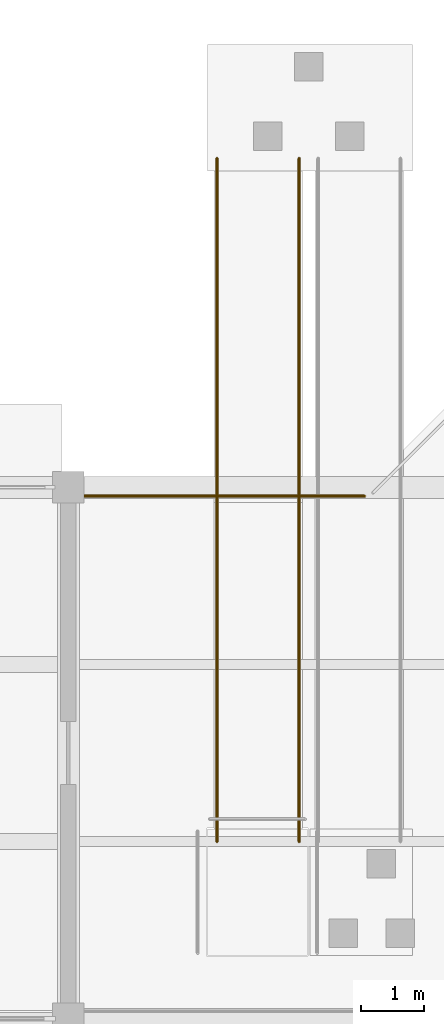
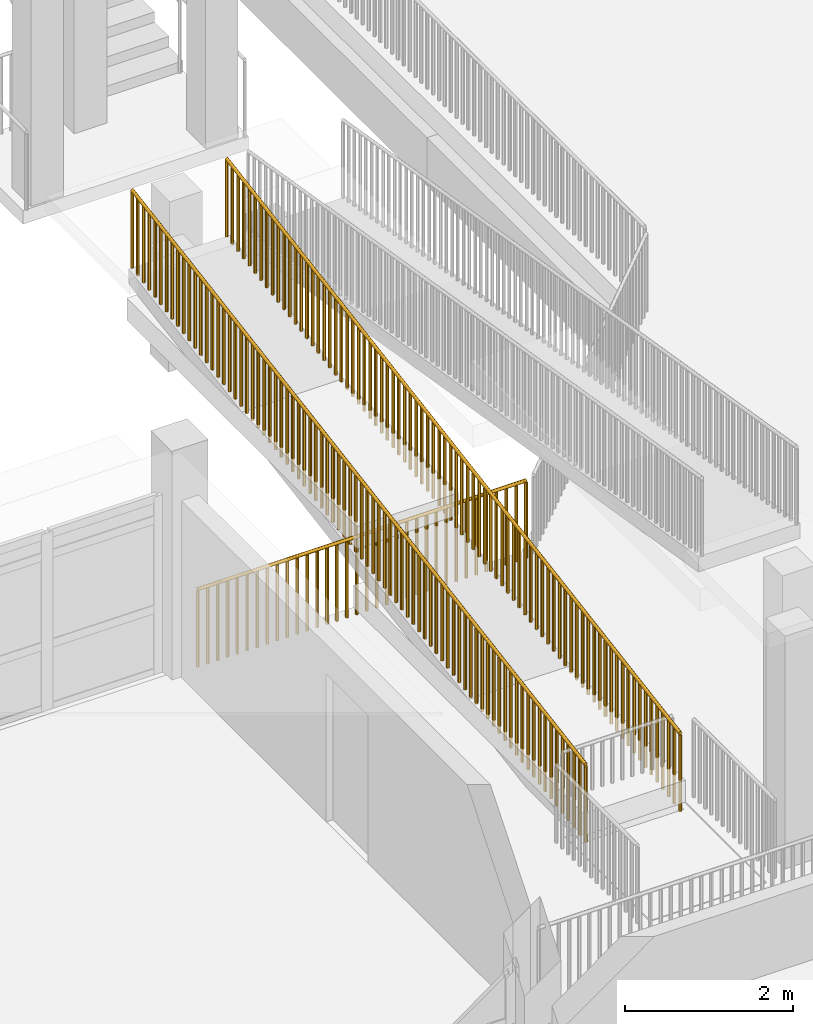
# One storey, part 72 of 92: 3 railings.
"""IFC4 building model written with IfcOpenShell, lengths in metres."""

from ifc_helpers import new_model, si_unit, direction, frame, origin, origin_2d, place, context, subcontext, project, spatial, circle, extrude, material, type_object, element, save


model = new_model("IFC4")

# Units and contexts
model_context = context("Model", 3, precision=1e-05, world=origin(), true_north=direction((0.0, 1.0)))
body_context = subcontext(model_context, "Body", "Model", "MODEL_VIEW")
ifc_project = project(units=[si_unit("LENGTHUNIT", "METRE"), si_unit("AREAUNIT", "SQUARE_METRE"), si_unit("VOLUMEUNIT", "CUBIC_METRE"), si_unit("PLANEANGLEUNIT", "RADIAN"), si_unit("MASSUNIT", "GRAM", prefix="KILO")], contexts=[model_context])

# Site, building, storey
site_placement = place(None, origin())
site = spatial("IfcSite", under=ifc_project, at=site_placement, CompositionType="ELEMENT")
building_placement = place(site_placement, origin())
building = spatial("IfcBuilding", under=site, at=building_placement, Name="Vanh Quang Courtyard School", CompositionType="ELEMENT")
storey_placement = place(building_placement, frame((0.0, 0.0, 7.800048828125)))
storey = spatial("IfcBuildingStorey", under=building, at=storey_placement, Name="L02", CompositionType="ELEMENT", Elevation=7.800048828125)

# Railings
ifc_material = material(Name="Galvanised painted steel EN 10025-2 S355J2", Category="steel")
railing_type = type_object("IfcRailingType", Name="RAIL-GUARD-1150", PredefinedType="BALUSTRADE", material=ifc_material)
railing_1_placement = place(storey_placement, frame((102.768310546875, 12.4599609375, 0.0)))
element("IfcRailing", 1, at=railing_1_placement, inside=storey, type_object=railing_type, Name="Railing GR-01 (L02)", PredefinedType="BALUSTRADE", context=body_context, shape_type="SweptSolid", body=[
    extrude(circle(Radius=0.02392578125, at=origin_2d()), frame((0.0, 0.0, 1.1259765625), z_axis=(1.0, 0.0, 0.0), x_axis=(0.0, 1.0, 0.0)), (0.0, 0.0, 1.0), 4.514892578125),
    extrude(circle(Radius=0.02099609375, at=origin_2d()), origin(), (0.0, 0.0, 1.0), 1.101806640625),
    extrude(circle(Radius=0.02099609375, at=origin_2d()), frame((0.13671875, 0.0, 0.0)), (0.0, 0.0, 1.0), 1.101806640625),
    extrude(circle(Radius=0.02099609375, at=origin_2d()), frame((0.273681640625, 0.0, 0.0)), (0.0, 0.0, 1.0), 1.101806640625),
    extrude(circle(Radius=0.02099609375, at=origin_2d()), frame((0.410400390625, 0.0, 0.0)), (0.0, 0.0, 1.0), 1.101806640625),
    extrude(circle(Radius=0.02099609375, at=origin_2d()), frame((0.54736328125, 0.0, 0.0)), (0.0, 0.0, 1.0), 1.101806640625),
    extrude(circle(Radius=0.02099609375, at=origin_2d()), frame((0.68408203125, 0.0, 0.0)), (0.0, 0.0, 1.0), 1.101806640625),
    extrude(circle(Radius=0.02099609375, at=origin_2d()), frame((0.82080078125, 0.0, 0.0)), (0.0, 0.0, 1.0), 1.101806640625),
    extrude(circle(Radius=0.02099609375, at=origin_2d()), frame((0.957763671875, 0.0, 0.0)), (0.0, 0.0, 1.0), 1.101806640625),
    extrude(circle(Radius=0.02099609375, at=origin_2d()), frame((1.094482421875, 0.0, 0.0)), (0.0, 0.0, 1.0), 1.101806640625),
    extrude(circle(Radius=0.02099609375, at=origin_2d()), frame((1.2314453125, 0.0, 0.0)), (0.0, 0.0, 1.0), 1.101806640625),
    extrude(circle(Radius=0.02099609375, at=origin_2d()), frame((1.3681640625, 0.0, 0.0)), (0.0, 0.0, 1.0), 1.101806640625),
    extrude(circle(Radius=0.02099609375, at=origin_2d()), frame((1.5048828125, 0.0, 0.0)), (0.0, 0.0, 1.0), 1.101806640625),
    extrude(circle(Radius=0.02099609375, at=origin_2d()), frame((1.641845703125, 0.0, 0.0)), (0.0, 0.0, 1.0), 1.101806640625),
    extrude(circle(Radius=0.02099609375, at=origin_2d()), frame((1.778564453125, 0.0, 0.0)), (0.0, 0.0, 1.0), 1.101806640625),
    extrude(circle(Radius=0.02099609375, at=origin_2d()), frame((1.91552734375, 0.0, 0.0)), (0.0, 0.0, 1.0), 1.101806640625),
    extrude(circle(Radius=0.02099609375, at=origin_2d()), frame((2.05224609375, 0.0, 0.0)), (0.0, 0.0, 1.0), 1.101806640625),
    extrude(circle(Radius=0.02099609375, at=origin_2d()), frame((2.18896484375, 0.0, 0.0)), (0.0, 0.0, 1.0), 1.101806640625),
    extrude(circle(Radius=0.02099609375, at=origin_2d()), frame((2.325927734375, 0.0, 0.0)), (0.0, 0.0, 1.0), 1.101806640625),
    extrude(circle(Radius=0.02099609375, at=origin_2d()), frame((2.462646484375, 0.0, 0.0)), (0.0, 0.0, 1.0), 1.101806640625),
    extrude(circle(Radius=0.02099609375, at=origin_2d()), frame((2.599365234375, 0.0, 0.0)), (0.0, 0.0, 1.0), 1.101806640625),
    extrude(circle(Radius=0.02099609375, at=origin_2d()), frame((2.736328125, 0.0, 0.0)), (0.0, 0.0, 1.0), 1.101806640625),
    extrude(circle(Radius=0.02099609375, at=origin_2d()), frame((2.873046875, 0.0, 0.0)), (0.0, 0.0, 1.0), 1.101806640625),
    extrude(circle(Radius=0.02099609375, at=origin_2d()), frame((3.010009765625, 0.0, 0.0)), (0.0, 0.0, 1.0), 1.101806640625),
    extrude(circle(Radius=0.02099609375, at=origin_2d()), frame((3.146728515625, 0.0, 0.0)), (0.0, 0.0, 1.0), 1.101806640625),
    extrude(circle(Radius=0.02099609375, at=origin_2d()), frame((3.283447265625, 0.0, 0.0)), (0.0, 0.0, 1.0), 1.101806640625),
    extrude(circle(Radius=0.02099609375, at=origin_2d()), frame((3.42041015625, 0.0, 0.0)), (0.0, 0.0, 1.0), 1.101806640625),
    extrude(circle(Radius=0.02099609375, at=origin_2d()), frame((3.55712890625, 0.0, 0.0)), (0.0, 0.0, 1.0), 1.101806640625),
    extrude(circle(Radius=0.02099609375, at=origin_2d()), frame((3.694091796875, 0.0, 0.0)), (0.0, 0.0, 1.0), 1.101806640625),
    extrude(circle(Radius=0.02099609375, at=origin_2d()), frame((3.830810546875, 0.0, 0.0)), (0.0, 0.0, 1.0), 1.101806640625),
    extrude(circle(Radius=0.02099609375, at=origin_2d()), frame((3.967529296875, 0.0, 0.0)), (0.0, 0.0, 1.0), 1.101806640625),
    extrude(circle(Radius=0.02099609375, at=origin_2d()), frame((4.1044921875, 0.0, 0.0)), (0.0, 0.0, 1.0), 1.101806640625),
    extrude(circle(Radius=0.02099609375, at=origin_2d()), frame((4.2412109375, 0.0, 0.0)), (0.0, 0.0, 1.0), 1.101806640625),
    extrude(circle(Radius=0.02099609375, at=origin_2d()), frame((4.378173828125, 0.0, 0.0)), (0.0, 0.0, 1.0), 1.101806640625),
    extrude(circle(Radius=0.02099609375, at=origin_2d()), frame((4.514892578125, 0.0, 0.0)), (0.0, 0.0, 1.0), 1.101806640625),
])
railing_2_placement = place(storey_placement, frame((104.949951171875, 7.0, 0.0)))
element("IfcRailing", 2, at=railing_2_placement, inside=storey, type_object=railing_type, Name="Railing GR-01 (L02)", PredefinedType="BALUSTRADE", context=body_context, shape_type="SweptSolid", body=[
    extrude(circle(Radius=0.02392578125, at=origin_2d()), frame((0.0, 0.0, 1.1259765625), z_axis=(0.0, 0.986393321179, 0.164402603184), x_axis=(-1.0, 0.0, 0.0)), (0.0, 0.0, 1.0), 10.948974609375),
    extrude(circle(Radius=0.02099609375, at=origin_2d()), origin(), (0.0, 0.0, 1.0), 1.101806640625),
    extrude(circle(Radius=0.02099609375, at=origin_2d()), frame((0.0, 0.13671875, 0.022705078125)), (0.0, 0.0, 1.0), 1.101806640625),
    extrude(circle(Radius=0.02099609375, at=origin_2d()), frame((0.0, 0.2734375, 0.045654296875)), (0.0, 0.0, 1.0), 1.101806640625),
    extrude(circle(Radius=0.02099609375, at=origin_2d()), frame((0.0, 0.41015625, 0.068359375)), (0.0, 0.0, 1.0), 1.101806640625),
    extrude(circle(Radius=0.02099609375, at=origin_2d()), frame((0.0, 0.546875, 0.091064453125)), (0.0, 0.0, 1.0), 1.101806640625),
    extrude(circle(Radius=0.02099609375, at=origin_2d()), frame((0.0, 0.68359375, 0.114013671875)), (0.0, 0.0, 1.0), 1.101806640625),
    extrude(circle(Radius=0.02099609375, at=origin_2d()), frame((0.0, 0.8203125, 0.13671875)), (0.0, 0.0, 1.0), 1.101806640625),
    extrude(circle(Radius=0.02099609375, at=origin_2d()), frame((0.0, 0.95703125, 0.159423828125)), (0.0, 0.0, 1.0), 1.101806640625),
    extrude(circle(Radius=0.02099609375, at=origin_2d()), frame((0.0, 1.09375, 0.182373046875)), (0.0, 0.0, 1.0), 1.101806640625),
    extrude(circle(Radius=0.02099609375, at=origin_2d()), frame((0.0, 1.23046875, 0.205078125)), (0.0, 0.0, 1.0), 1.101806640625),
    extrude(circle(Radius=0.02099609375, at=origin_2d()), frame((0.0, 1.3671875, 0.227783203125)), (0.0, 0.0, 1.0), 1.101806640625),
    extrude(circle(Radius=0.02099609375, at=origin_2d()), frame((0.0, 1.50390625, 0.250732421875)), (0.0, 0.0, 1.0), 1.101806640625),
    extrude(circle(Radius=0.02099609375, at=origin_2d()), frame((0.0, 1.640625, 0.2734375)), (0.0, 0.0, 1.0), 1.101806640625),
    extrude(circle(Radius=0.02099609375, at=origin_2d()), frame((0.0, 1.77734375, 0.296142578125)), (0.0, 0.0, 1.0), 1.101806640625),
    extrude(circle(Radius=0.02099609375, at=origin_2d()), frame((0.0, 1.913818359375, 0.319091796875)), (0.0, 0.0, 1.0), 1.101806640625),
    extrude(circle(Radius=0.02099609375, at=origin_2d()), frame((0.0, 2.050537109375, 0.341796875)), (0.0, 0.0, 1.0), 1.101806640625),
    extrude(circle(Radius=0.02099609375, at=origin_2d()), frame((0.0, 2.187255859375, 0.364501953125)), (0.0, 0.0, 1.0), 1.101806640625),
    extrude(circle(Radius=0.02099609375, at=origin_2d()), frame((0.0, 2.323974609375, 0.387451171875)), (0.0, 0.0, 1.0), 1.101806640625),
    extrude(circle(Radius=0.02099609375, at=origin_2d()), frame((0.0, 2.460693359375, 0.41015625)), (0.0, 0.0, 1.0), 1.101806640625),
    extrude(circle(Radius=0.02099609375, at=origin_2d()), frame((0.0, 2.597412109375, 0.432861328125)), (0.0, 0.0, 1.0), 1.101806640625),
    extrude(circle(Radius=0.02099609375, at=origin_2d()), frame((0.0, 2.734130859375, 0.455810546875)), (0.0, 0.0, 1.0), 1.101806640625),
    extrude(circle(Radius=0.02099609375, at=origin_2d()), frame((0.0, 2.870849609375, 0.478515625)), (0.0, 0.0, 1.0), 1.101806640625),
    extrude(circle(Radius=0.02099609375, at=origin_2d()), frame((0.0, 3.007568359375, 0.501220703125)), (0.0, 0.0, 1.0), 1.101806640625),
    extrude(circle(Radius=0.02099609375, at=origin_2d()), frame((0.0, 3.144287109375, 0.524169921875)), (0.0, 0.0, 1.0), 1.101806640625),
    extrude(circle(Radius=0.02099609375, at=origin_2d()), frame((0.0, 3.281005859375, 0.546875)), (0.0, 0.0, 1.0), 1.101806640625),
    extrude(circle(Radius=0.02099609375, at=origin_2d()), frame((0.0, 3.417724609375, 0.569580078125)), (0.0, 0.0, 1.0), 1.101806640625),
    extrude(circle(Radius=0.02099609375, at=origin_2d()), frame((0.0, 3.554443359375, 0.592529296875)), (0.0, 0.0, 1.0), 1.101806640625),
    extrude(circle(Radius=0.02099609375, at=origin_2d()), frame((0.0, 3.691162109375, 0.615234375)), (0.0, 0.0, 1.0), 1.101806640625),
    extrude(circle(Radius=0.02099609375, at=origin_2d()), frame((0.0, 3.827880859375, 0.637939453125)), (0.0, 0.0, 1.0), 1.101806640625),
    extrude(circle(Radius=0.02099609375, at=origin_2d()), frame((0.0, 3.964599609375, 0.660888671875)), (0.0, 0.0, 1.0), 1.101806640625),
    extrude(circle(Radius=0.02099609375, at=origin_2d()), frame((0.0, 4.101318359375, 0.68359375)), (0.0, 0.0, 1.0), 1.101806640625),
    extrude(circle(Radius=0.02099609375, at=origin_2d()), frame((0.0, 4.238037109375, 0.706298828125)), (0.0, 0.0, 1.0), 1.101806640625),
    extrude(circle(Radius=0.02099609375, at=origin_2d()), frame((0.0, 4.374755859375, 0.729248046875)), (0.0, 0.0, 1.0), 1.101806640625),
    extrude(circle(Radius=0.02099609375, at=origin_2d()), frame((0.0, 4.511474609375, 0.751953125)), (0.0, 0.0, 1.0), 1.101806640625),
    extrude(circle(Radius=0.02099609375, at=origin_2d()), frame((0.0, 4.648193359375, 0.774658203125)), (0.0, 0.0, 1.0), 1.101806640625),
    extrude(circle(Radius=0.02099609375, at=origin_2d()), frame((0.0, 4.784912109375, 0.797607421875)), (0.0, 0.0, 1.0), 1.101806640625),
    extrude(circle(Radius=0.02099609375, at=origin_2d()), frame((0.0, 4.921630859375, 0.8203125)), (0.0, 0.0, 1.0), 1.101806640625),
    extrude(circle(Radius=0.02099609375, at=origin_2d()), frame((0.0, 5.058349609375, 0.843017578125)), (0.0, 0.0, 1.0), 1.101806640625),
    extrude(circle(Radius=0.02099609375, at=origin_2d()), frame((0.0, 5.195068359375, 0.865966796875)), (0.0, 0.0, 1.0), 1.101806640625),
    extrude(circle(Radius=0.02099609375, at=origin_2d()), frame((0.0, 5.331787109375, 0.888671875)), (0.0, 0.0, 1.0), 1.101806640625),
    extrude(circle(Radius=0.02099609375, at=origin_2d()), frame((0.0, 5.46826171875, 0.911376953125)), (0.0, 0.0, 1.0), 1.101806640625),
    extrude(circle(Radius=0.02099609375, at=origin_2d()), frame((0.0, 5.60498046875, 0.93408203125)), (0.0, 0.0, 1.0), 1.101806640625),
    extrude(circle(Radius=0.02099609375, at=origin_2d()), frame((0.0, 5.74169921875, 0.95703125)), (0.0, 0.0, 1.0), 1.101806640625),
    extrude(circle(Radius=0.02099609375, at=origin_2d()), frame((0.0, 5.87841796875, 0.979736328125)), (0.0, 0.0, 1.0), 1.101806640625),
    extrude(circle(Radius=0.02099609375, at=origin_2d()), frame((0.0, 6.01513671875, 1.00244140625)), (0.0, 0.0, 1.0), 1.101806640625),
    extrude(circle(Radius=0.02099609375, at=origin_2d()), frame((0.0, 6.15185546875, 1.025390625)), (0.0, 0.0, 1.0), 1.101806640625),
    extrude(circle(Radius=0.02099609375, at=origin_2d()), frame((0.0, 6.28857421875, 1.048095703125)), (0.0, 0.0, 1.0), 1.101806640625),
    extrude(circle(Radius=0.02099609375, at=origin_2d()), frame((0.0, 6.42529296875, 1.07080078125)), (0.0, 0.0, 1.0), 1.101806640625),
    extrude(circle(Radius=0.02099609375, at=origin_2d()), frame((0.0, 6.56201171875, 1.09375)), (0.0, 0.0, 1.0), 1.101806640625),
    extrude(circle(Radius=0.02099609375, at=origin_2d()), frame((0.0, 6.69873046875, 1.116455078125)), (0.0, 0.0, 1.0), 1.101806640625),
    extrude(circle(Radius=0.02099609375, at=origin_2d()), frame((0.0, 6.83544921875, 1.13916015625)), (0.0, 0.0, 1.0), 1.101806640625),
    extrude(circle(Radius=0.02099609375, at=origin_2d()), frame((0.0, 6.97216796875, 1.162109375)), (0.0, 0.0, 1.0), 1.101806640625),
    extrude(circle(Radius=0.02099609375, at=origin_2d()), frame((0.0, 7.10888671875, 1.184814453125)), (0.0, 0.0, 1.0), 1.101806640625),
    extrude(circle(Radius=0.02099609375, at=origin_2d()), frame((0.0, 7.24560546875, 1.20751953125)), (0.0, 0.0, 1.0), 1.101806640625),
    extrude(circle(Radius=0.02099609375, at=origin_2d()), frame((0.0, 7.38232421875, 1.23046875)), (0.0, 0.0, 1.0), 1.101806640625),
    extrude(circle(Radius=0.02099609375, at=origin_2d()), frame((0.0, 7.51904296875, 1.253173828125)), (0.0, 0.0, 1.0), 1.101806640625),
    extrude(circle(Radius=0.02099609375, at=origin_2d()), frame((0.0, 7.65576171875, 1.27587890625)), (0.0, 0.0, 1.0), 1.101806640625),
    extrude(circle(Radius=0.02099609375, at=origin_2d()), frame((0.0, 7.79248046875, 1.298828125)), (0.0, 0.0, 1.0), 1.101806640625),
    extrude(circle(Radius=0.02099609375, at=origin_2d()), frame((0.0, 7.92919921875, 1.321533203125)), (0.0, 0.0, 1.0), 1.101806640625),
    extrude(circle(Radius=0.02099609375, at=origin_2d()), frame((0.0, 8.06591796875, 1.34423828125)), (0.0, 0.0, 1.0), 1.101806640625),
    extrude(circle(Radius=0.02099609375, at=origin_2d()), frame((0.0, 8.20263671875, 1.3671875)), (0.0, 0.0, 1.0), 1.101806640625),
    extrude(circle(Radius=0.02099609375, at=origin_2d()), frame((0.0, 8.33935546875, 1.389892578125)), (0.0, 0.0, 1.0), 1.101806640625),
    extrude(circle(Radius=0.02099609375, at=origin_2d()), frame((0.0, 8.47607421875, 1.41259765625)), (0.0, 0.0, 1.0), 1.101806640625),
    extrude(circle(Radius=0.02099609375, at=origin_2d()), frame((0.0, 8.61279296875, 1.435546875)), (0.0, 0.0, 1.0), 1.101806640625),
    extrude(circle(Radius=0.02099609375, at=origin_2d()), frame((0.0, 8.74951171875, 1.458251953125)), (0.0, 0.0, 1.0), 1.101806640625),
    extrude(circle(Radius=0.02099609375, at=origin_2d()), frame((0.0, 8.88623046875, 1.48095703125)), (0.0, 0.0, 1.0), 1.101806640625),
    extrude(circle(Radius=0.02099609375, at=origin_2d()), frame((0.0, 9.022705078125, 1.50390625)), (0.0, 0.0, 1.0), 1.101806640625),
    extrude(circle(Radius=0.02099609375, at=origin_2d()), frame((0.0, 9.159423828125, 1.526611328125)), (0.0, 0.0, 1.0), 1.101806640625),
    extrude(circle(Radius=0.02099609375, at=origin_2d()), frame((0.0, 9.296142578125, 1.54931640625)), (0.0, 0.0, 1.0), 1.101806640625),
    extrude(circle(Radius=0.02099609375, at=origin_2d()), frame((0.0, 9.432861328125, 1.572265625)), (0.0, 0.0, 1.0), 1.101806640625),
    extrude(circle(Radius=0.02099609375, at=origin_2d()), frame((0.0, 9.569580078125, 1.594970703125)), (0.0, 0.0, 1.0), 1.101806640625),
    extrude(circle(Radius=0.02099609375, at=origin_2d()), frame((0.0, 9.706298828125, 1.61767578125)), (0.0, 0.0, 1.0), 1.101806640625),
    extrude(circle(Radius=0.02099609375, at=origin_2d()), frame((0.0, 9.843017578125, 1.640625)), (0.0, 0.0, 1.0), 1.101806640625),
    extrude(circle(Radius=0.02099609375, at=origin_2d()), frame((0.0, 9.979736328125, 1.663330078125)), (0.0, 0.0, 1.0), 1.101806640625),
    extrude(circle(Radius=0.02099609375, at=origin_2d()), frame((0.0, 10.116455078125, 1.68603515625)), (0.0, 0.0, 1.0), 1.101806640625),
    extrude(circle(Radius=0.02099609375, at=origin_2d()), frame((0.0, 10.253173828125, 1.708984375)), (0.0, 0.0, 1.0), 1.101806640625),
    extrude(circle(Radius=0.02099609375, at=origin_2d()), frame((0.0, 10.389892578125, 1.731689453125)), (0.0, 0.0, 1.0), 1.101806640625),
    extrude(circle(Radius=0.02099609375, at=origin_2d()), frame((0.0, 10.526611328125, 1.75439453125)), (0.0, 0.0, 1.0), 1.101806640625),
    extrude(circle(Radius=0.02099609375, at=origin_2d()), frame((0.0, 10.663330078125, 1.77734375)), (0.0, 0.0, 1.0), 1.101806640625),
    extrude(circle(Radius=0.02099609375, at=origin_2d()), frame((0.0, 10.800048828125, 1.800048828125)), (0.0, 0.0, 1.0), 1.101806640625),
])
railing_3_placement = place(storey_placement, frame((106.25, 7.0, 0.0)))
element("IfcRailing", 3, at=railing_3_placement, inside=storey, type_object=railing_type, Name="Railing GR-01 (L02)", PredefinedType="BALUSTRADE", context=body_context, shape_type="SweptSolid", body=[
    extrude(circle(Radius=0.02392578125, at=origin_2d()), frame((0.0, 0.0, 1.1259765625), z_axis=(0.0, 0.986393321179, 0.164402603184), x_axis=(-1.0, 0.0, 0.0)), (0.0, 0.0, 1.0), 10.948974609375),
    extrude(circle(Radius=0.02099609375, at=origin_2d()), origin(), (0.0, 0.0, 1.0), 1.101806640625),
    extrude(circle(Radius=0.02099609375, at=origin_2d()), frame((0.0, 0.13671875, 0.022705078125)), (0.0, 0.0, 1.0), 1.101806640625),
    extrude(circle(Radius=0.02099609375, at=origin_2d()), frame((0.0, 0.2734375, 0.045654296875)), (0.0, 0.0, 1.0), 1.101806640625),
    extrude(circle(Radius=0.02099609375, at=origin_2d()), frame((0.0, 0.41015625, 0.068359375)), (0.0, 0.0, 1.0), 1.101806640625),
    extrude(circle(Radius=0.02099609375, at=origin_2d()), frame((0.0, 0.546875, 0.091064453125)), (0.0, 0.0, 1.0), 1.101806640625),
    extrude(circle(Radius=0.02099609375, at=origin_2d()), frame((0.0, 0.68359375, 0.114013671875)), (0.0, 0.0, 1.0), 1.101806640625),
    extrude(circle(Radius=0.02099609375, at=origin_2d()), frame((0.0, 0.8203125, 0.13671875)), (0.0, 0.0, 1.0), 1.101806640625),
    extrude(circle(Radius=0.02099609375, at=origin_2d()), frame((0.0, 0.95703125, 0.159423828125)), (0.0, 0.0, 1.0), 1.101806640625),
    extrude(circle(Radius=0.02099609375, at=origin_2d()), frame((0.0, 1.09375, 0.182373046875)), (0.0, 0.0, 1.0), 1.101806640625),
    extrude(circle(Radius=0.02099609375, at=origin_2d()), frame((0.0, 1.23046875, 0.205078125)), (0.0, 0.0, 1.0), 1.101806640625),
    extrude(circle(Radius=0.02099609375, at=origin_2d()), frame((0.0, 1.3671875, 0.227783203125)), (0.0, 0.0, 1.0), 1.101806640625),
    extrude(circle(Radius=0.02099609375, at=origin_2d()), frame((0.0, 1.50390625, 0.250732421875)), (0.0, 0.0, 1.0), 1.101806640625),
    extrude(circle(Radius=0.02099609375, at=origin_2d()), frame((0.0, 1.640625, 0.2734375)), (0.0, 0.0, 1.0), 1.101806640625),
    extrude(circle(Radius=0.02099609375, at=origin_2d()), frame((0.0, 1.77734375, 0.296142578125)), (0.0, 0.0, 1.0), 1.101806640625),
    extrude(circle(Radius=0.02099609375, at=origin_2d()), frame((0.0, 1.913818359375, 0.319091796875)), (0.0, 0.0, 1.0), 1.101806640625),
    extrude(circle(Radius=0.02099609375, at=origin_2d()), frame((0.0, 2.050537109375, 0.341796875)), (0.0, 0.0, 1.0), 1.101806640625),
    extrude(circle(Radius=0.02099609375, at=origin_2d()), frame((0.0, 2.187255859375, 0.364501953125)), (0.0, 0.0, 1.0), 1.101806640625),
    extrude(circle(Radius=0.02099609375, at=origin_2d()), frame((0.0, 2.323974609375, 0.387451171875)), (0.0, 0.0, 1.0), 1.101806640625),
    extrude(circle(Radius=0.02099609375, at=origin_2d()), frame((0.0, 2.460693359375, 0.41015625)), (0.0, 0.0, 1.0), 1.101806640625),
    extrude(circle(Radius=0.02099609375, at=origin_2d()), frame((0.0, 2.597412109375, 0.432861328125)), (0.0, 0.0, 1.0), 1.101806640625),
    extrude(circle(Radius=0.02099609375, at=origin_2d()), frame((0.0, 2.734130859375, 0.455810546875)), (0.0, 0.0, 1.0), 1.101806640625),
    extrude(circle(Radius=0.02099609375, at=origin_2d()), frame((0.0, 2.870849609375, 0.478515625)), (0.0, 0.0, 1.0), 1.101806640625),
    extrude(circle(Radius=0.02099609375, at=origin_2d()), frame((0.0, 3.007568359375, 0.501220703125)), (0.0, 0.0, 1.0), 1.101806640625),
    extrude(circle(Radius=0.02099609375, at=origin_2d()), frame((0.0, 3.144287109375, 0.524169921875)), (0.0, 0.0, 1.0), 1.101806640625),
    extrude(circle(Radius=0.02099609375, at=origin_2d()), frame((0.0, 3.281005859375, 0.546875)), (0.0, 0.0, 1.0), 1.101806640625),
    extrude(circle(Radius=0.02099609375, at=origin_2d()), frame((0.0, 3.417724609375, 0.569580078125)), (0.0, 0.0, 1.0), 1.101806640625),
    extrude(circle(Radius=0.02099609375, at=origin_2d()), frame((0.0, 3.554443359375, 0.592529296875)), (0.0, 0.0, 1.0), 1.101806640625),
    extrude(circle(Radius=0.02099609375, at=origin_2d()), frame((0.0, 3.691162109375, 0.615234375)), (0.0, 0.0, 1.0), 1.101806640625),
    extrude(circle(Radius=0.02099609375, at=origin_2d()), frame((0.0, 3.827880859375, 0.637939453125)), (0.0, 0.0, 1.0), 1.101806640625),
    extrude(circle(Radius=0.02099609375, at=origin_2d()), frame((0.0, 3.964599609375, 0.660888671875)), (0.0, 0.0, 1.0), 1.101806640625),
    extrude(circle(Radius=0.02099609375, at=origin_2d()), frame((0.0, 4.101318359375, 0.68359375)), (0.0, 0.0, 1.0), 1.101806640625),
    extrude(circle(Radius=0.02099609375, at=origin_2d()), frame((0.0, 4.238037109375, 0.706298828125)), (0.0, 0.0, 1.0), 1.101806640625),
    extrude(circle(Radius=0.02099609375, at=origin_2d()), frame((0.0, 4.374755859375, 0.729248046875)), (0.0, 0.0, 1.0), 1.101806640625),
    extrude(circle(Radius=0.02099609375, at=origin_2d()), frame((0.0, 4.511474609375, 0.751953125)), (0.0, 0.0, 1.0), 1.101806640625),
    extrude(circle(Radius=0.02099609375, at=origin_2d()), frame((0.0, 4.648193359375, 0.774658203125)), (0.0, 0.0, 1.0), 1.101806640625),
    extrude(circle(Radius=0.02099609375, at=origin_2d()), frame((0.0, 4.784912109375, 0.797607421875)), (0.0, 0.0, 1.0), 1.101806640625),
    extrude(circle(Radius=0.02099609375, at=origin_2d()), frame((0.0, 4.921630859375, 0.8203125)), (0.0, 0.0, 1.0), 1.101806640625),
    extrude(circle(Radius=0.02099609375, at=origin_2d()), frame((0.0, 5.058349609375, 0.843017578125)), (0.0, 0.0, 1.0), 1.101806640625),
    extrude(circle(Radius=0.02099609375, at=origin_2d()), frame((0.0, 5.195068359375, 0.865966796875)), (0.0, 0.0, 1.0), 1.101806640625),
    extrude(circle(Radius=0.02099609375, at=origin_2d()), frame((0.0, 5.331787109375, 0.888671875)), (0.0, 0.0, 1.0), 1.101806640625),
    extrude(circle(Radius=0.02099609375, at=origin_2d()), frame((0.0, 5.46826171875, 0.911376953125)), (0.0, 0.0, 1.0), 1.101806640625),
    extrude(circle(Radius=0.02099609375, at=origin_2d()), frame((0.0, 5.60498046875, 0.93408203125)), (0.0, 0.0, 1.0), 1.101806640625),
    extrude(circle(Radius=0.02099609375, at=origin_2d()), frame((0.0, 5.74169921875, 0.95703125)), (0.0, 0.0, 1.0), 1.101806640625),
    extrude(circle(Radius=0.02099609375, at=origin_2d()), frame((0.0, 5.87841796875, 0.979736328125)), (0.0, 0.0, 1.0), 1.101806640625),
    extrude(circle(Radius=0.02099609375, at=origin_2d()), frame((0.0, 6.01513671875, 1.00244140625)), (0.0, 0.0, 1.0), 1.101806640625),
    extrude(circle(Radius=0.02099609375, at=origin_2d()), frame((0.0, 6.15185546875, 1.025390625)), (0.0, 0.0, 1.0), 1.101806640625),
    extrude(circle(Radius=0.02099609375, at=origin_2d()), frame((0.0, 6.28857421875, 1.048095703125)), (0.0, 0.0, 1.0), 1.101806640625),
    extrude(circle(Radius=0.02099609375, at=origin_2d()), frame((0.0, 6.42529296875, 1.07080078125)), (0.0, 0.0, 1.0), 1.101806640625),
    extrude(circle(Radius=0.02099609375, at=origin_2d()), frame((0.0, 6.56201171875, 1.09375)), (0.0, 0.0, 1.0), 1.101806640625),
    extrude(circle(Radius=0.02099609375, at=origin_2d()), frame((0.0, 6.69873046875, 1.116455078125)), (0.0, 0.0, 1.0), 1.101806640625),
    extrude(circle(Radius=0.02099609375, at=origin_2d()), frame((0.0, 6.83544921875, 1.13916015625)), (0.0, 0.0, 1.0), 1.101806640625),
    extrude(circle(Radius=0.02099609375, at=origin_2d()), frame((0.0, 6.97216796875, 1.162109375)), (0.0, 0.0, 1.0), 1.101806640625),
    extrude(circle(Radius=0.02099609375, at=origin_2d()), frame((0.0, 7.10888671875, 1.184814453125)), (0.0, 0.0, 1.0), 1.101806640625),
    extrude(circle(Radius=0.02099609375, at=origin_2d()), frame((0.0, 7.24560546875, 1.20751953125)), (0.0, 0.0, 1.0), 1.101806640625),
    extrude(circle(Radius=0.02099609375, at=origin_2d()), frame((0.0, 7.38232421875, 1.23046875)), (0.0, 0.0, 1.0), 1.101806640625),
    extrude(circle(Radius=0.02099609375, at=origin_2d()), frame((0.0, 7.51904296875, 1.253173828125)), (0.0, 0.0, 1.0), 1.101806640625),
    extrude(circle(Radius=0.02099609375, at=origin_2d()), frame((0.0, 7.65576171875, 1.27587890625)), (0.0, 0.0, 1.0), 1.101806640625),
    extrude(circle(Radius=0.02099609375, at=origin_2d()), frame((0.0, 7.79248046875, 1.298828125)), (0.0, 0.0, 1.0), 1.101806640625),
    extrude(circle(Radius=0.02099609375, at=origin_2d()), frame((0.0, 7.92919921875, 1.321533203125)), (0.0, 0.0, 1.0), 1.101806640625),
    extrude(circle(Radius=0.02099609375, at=origin_2d()), frame((0.0, 8.06591796875, 1.34423828125)), (0.0, 0.0, 1.0), 1.101806640625),
    extrude(circle(Radius=0.02099609375, at=origin_2d()), frame((0.0, 8.20263671875, 1.3671875)), (0.0, 0.0, 1.0), 1.101806640625),
    extrude(circle(Radius=0.02099609375, at=origin_2d()), frame((0.0, 8.33935546875, 1.389892578125)), (0.0, 0.0, 1.0), 1.101806640625),
    extrude(circle(Radius=0.02099609375, at=origin_2d()), frame((0.0, 8.47607421875, 1.41259765625)), (0.0, 0.0, 1.0), 1.101806640625),
    extrude(circle(Radius=0.02099609375, at=origin_2d()), frame((0.0, 8.61279296875, 1.435546875)), (0.0, 0.0, 1.0), 1.101806640625),
    extrude(circle(Radius=0.02099609375, at=origin_2d()), frame((0.0, 8.74951171875, 1.458251953125)), (0.0, 0.0, 1.0), 1.101806640625),
    extrude(circle(Radius=0.02099609375, at=origin_2d()), frame((0.0, 8.88623046875, 1.48095703125)), (0.0, 0.0, 1.0), 1.101806640625),
    extrude(circle(Radius=0.02099609375, at=origin_2d()), frame((0.0, 9.022705078125, 1.50390625)), (0.0, 0.0, 1.0), 1.101806640625),
    extrude(circle(Radius=0.02099609375, at=origin_2d()), frame((0.0, 9.159423828125, 1.526611328125)), (0.0, 0.0, 1.0), 1.101806640625),
    extrude(circle(Radius=0.02099609375, at=origin_2d()), frame((0.0, 9.296142578125, 1.54931640625)), (0.0, 0.0, 1.0), 1.101806640625),
    extrude(circle(Radius=0.02099609375, at=origin_2d()), frame((0.0, 9.432861328125, 1.572265625)), (0.0, 0.0, 1.0), 1.101806640625),
    extrude(circle(Radius=0.02099609375, at=origin_2d()), frame((0.0, 9.569580078125, 1.594970703125)), (0.0, 0.0, 1.0), 1.101806640625),
    extrude(circle(Radius=0.02099609375, at=origin_2d()), frame((0.0, 9.706298828125, 1.61767578125)), (0.0, 0.0, 1.0), 1.101806640625),
    extrude(circle(Radius=0.02099609375, at=origin_2d()), frame((0.0, 9.843017578125, 1.640625)), (0.0, 0.0, 1.0), 1.101806640625),
    extrude(circle(Radius=0.02099609375, at=origin_2d()), frame((0.0, 9.979736328125, 1.663330078125)), (0.0, 0.0, 1.0), 1.101806640625),
    extrude(circle(Radius=0.02099609375, at=origin_2d()), frame((0.0, 10.116455078125, 1.68603515625)), (0.0, 0.0, 1.0), 1.101806640625),
    extrude(circle(Radius=0.02099609375, at=origin_2d()), frame((0.0, 10.253173828125, 1.708984375)), (0.0, 0.0, 1.0), 1.101806640625),
    extrude(circle(Radius=0.02099609375, at=origin_2d()), frame((0.0, 10.389892578125, 1.731689453125)), (0.0, 0.0, 1.0), 1.101806640625),
    extrude(circle(Radius=0.02099609375, at=origin_2d()), frame((0.0, 10.526611328125, 1.75439453125)), (0.0, 0.0, 1.0), 1.101806640625),
    extrude(circle(Radius=0.02099609375, at=origin_2d()), frame((0.0, 10.663330078125, 1.77734375)), (0.0, 0.0, 1.0), 1.101806640625),
    extrude(circle(Radius=0.02099609375, at=origin_2d()), frame((0.0, 10.800048828125, 1.800048828125)), (0.0, 0.0, 1.0), 1.101806640625),
])

save(model, "model.ifc")
